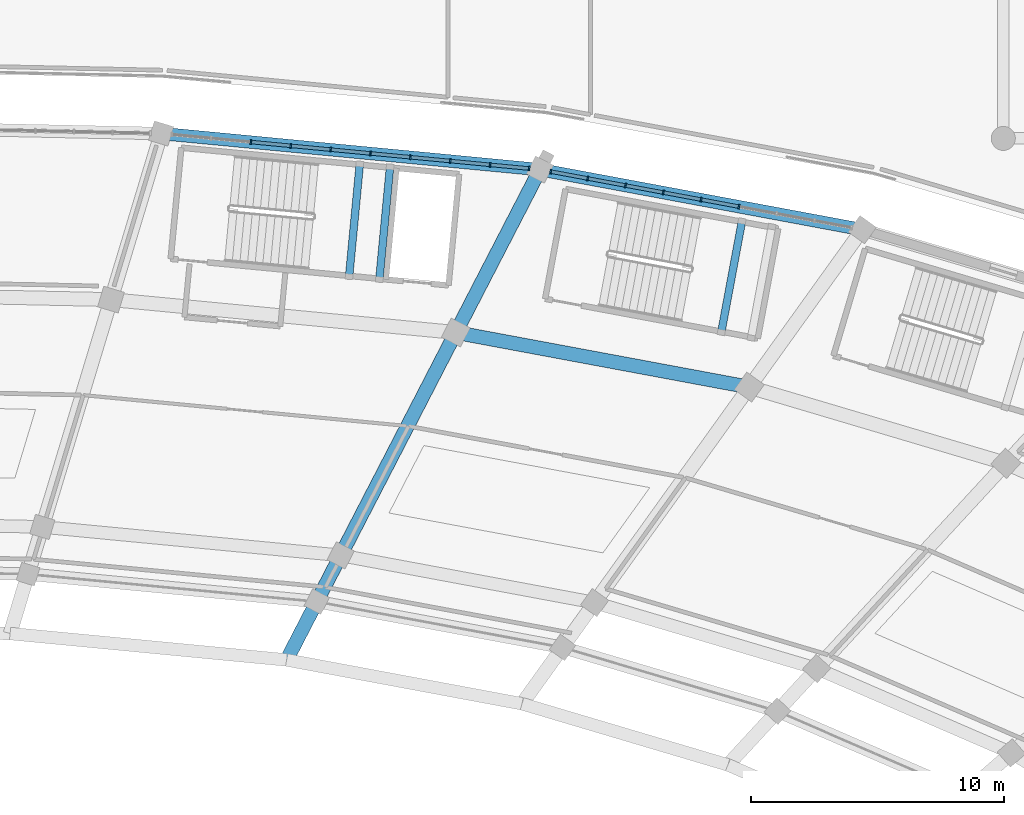
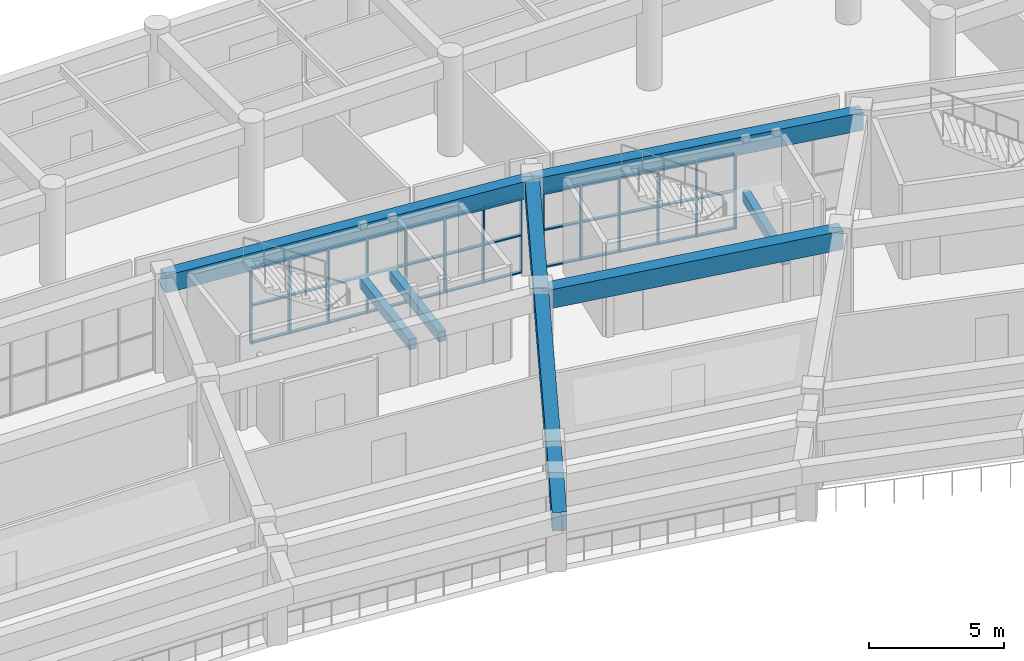
# One storey, part 70 of 145: 50 members, 8 beams, 2 elements without a shape of their own.
"""IFC4 building model written with IfcOpenShell, lengths in metres."""

from ifc_helpers import new_model, si_unit, direction, frame, origin, origin_2d, place, context, subcontext, project, spatial, rectangle, extrude, material, layer, layer_set, material_profile, profile_set, type_object, element, aggregate, save


model = new_model("IFC4")

# Units and contexts
model_context = context("Model", 3, precision=1e-05, world=origin(), true_north=direction((0.0, 1.0)))
body_context = subcontext(model_context, "Body", "Model", "MODEL_VIEW")
ifc_project = project(units=[si_unit("LENGTHUNIT", "METRE"), si_unit("AREAUNIT", "SQUARE_METRE"), si_unit("VOLUMEUNIT", "CUBIC_METRE"), si_unit("PLANEANGLEUNIT", "RADIAN"), si_unit("MASSUNIT", "GRAM", prefix="KILO")], contexts=[model_context])

# Site, building, storey
site_placement = place(None, origin())
site = spatial("IfcSite", under=ifc_project, at=site_placement, CompositionType="ELEMENT")
building_placement = place(site_placement, origin())
building = spatial("IfcBuilding", under=site, at=building_placement, Name="Mphavela Belvedere Stadium", CompositionType="ELEMENT")
storey_placement = place(building_placement, frame((0.0, 0.0, 10.199951171875)))
storey = spatial("IfcBuildingStorey", under=building, at=storey_placement, Name="L02", CompositionType="ELEMENT", Elevation=10.199951171875)

# Beams
ifc_material_1 = material(Name="Concrete C40/50", Category="concrete")
ifc_material_profile_1 = material_profile(ifc_material_1, rectangle(XDim=0.300048828125, YDim=0.449951171875, at=origin_2d()), Name="RC 300x450")
ifc_profile_set_1 = profile_set([ifc_material_profile_1], Name="Concrete C40/50")
beam_type_1 = type_object("IfcBeamType", Name="BM-RC300x450", PredefinedType="BEAM", material=ifc_profile_set_1)
beam_1_placement = place(storey_placement, frame((144.53515625, 154.541259765625, 1.824951171875), z_axis=(0.094981784239, 0.995479010659, 0.0), x_axis=(-0.995479010659, 0.094981784239, 0.0)))
element("IfcBeam", 1, at=beam_1_placement, inside=storey, type_object=beam_type_1, Name="Core C03 landing trimmer beam L02-1", PredefinedType="BEAM", context=body_context, shape_type="SweptSolid", body=[
    extrude(rectangle(XDim=0.300048828125, YDim=0.449951171875, at=origin_2d()), origin(), (0.0, 0.0, 1.0), 4.469970703125),
])
beam_2_placement = place(storey_placement, frame((145.729736328125, 154.42724609375, 1.824951171875), z_axis=(0.094976620198, 0.995479503363, 0.0), x_axis=(-0.995479503363, 0.094976620198, 0.0)))
element("IfcBeam", 2, at=beam_2_placement, inside=storey, type_object=beam_type_1, Name="Core C03 landing trimmer beam L02-2", PredefinedType="BEAM", context=body_context, shape_type="SweptSolid", body=[
    extrude(rectangle(XDim=0.300048828125, YDim=0.449951171875, at=origin_2d()), origin(), (0.0, 0.0, 1.0), 4.47021484375),
])
beam_3_placement = place(storey_placement, frame((159.233154296875, 152.34033203125, 1.824951171875), z_axis=(0.183137493709, 0.983087309652, 0.0), x_axis=(-0.983087309652, 0.183137493709, 0.0)))
element("IfcBeam", 3, at=beam_3_placement, inside=storey, type_object=beam_type_1, Name="Core P02 landing trimmer beam L02-1", PredefinedType="BEAM", context=body_context, shape_type="SweptSolid", body=[
    extrude(rectangle(XDim=0.300048828125, YDim=0.449951171875, at=origin_2d()), origin(), (0.0, 0.0, 1.0), 4.469970703125),
])
ifc_material_2 = material(Name="Concrete C40/50", Category="concrete")
ifc_material_profile_2 = material_profile(ifc_material_2, rectangle(XDim=0.550048828125, YDim=0.85009765625, at=origin_2d()), Name="RC 550x850")
ifc_profile_set_2 = profile_set([ifc_material_profile_2], Name="Concrete C40/50")
beam_type_2 = type_object("IfcBeamType", Name="BM-RC550x850", PredefinedType="BEAM", material=ifc_profile_set_2)
beam_4_placement = place(storey_placement, frame((160.337890625, 150.177490234375, 3.824951171875), z_axis=(-0.983097725009, 0.18308157494, 0.0), x_axis=(-0.18308157494, -0.983097725009, 0.0)))
element("IfcBeam", 4, at=beam_4_placement, inside=storey, type_object=beam_type_2, Name="Circumferential girder L02 R3-10", PredefinedType="BEAM", context=body_context, shape_type="SweptSolid", body=[
    extrude(rectangle(XDim=0.550048828125, YDim=0.85009765625, at=origin_2d()), origin(), (0.0, 0.0, 1.0), 11.786865234375),
])
beam_5_placement = place(storey_placement, frame((148.750244140625, 152.33544921875, 3.824951171875), z_axis=(0.458951286165, 0.888461432436, 0.0), x_axis=(-0.888461432436, 0.458951286165, 0.0)))
element("IfcBeam", 5, at=beam_5_placement, inside=storey, type_object=beam_type_2, Name="Radial concourse girder L02 R3R4-11", PredefinedType="BEAM", context=body_context, shape_type="SweptSolid", body=[
    extrude(rectangle(XDim=0.550048828125, YDim=0.85009765625, at=origin_2d()), origin(), (0.0, 0.0, 1.0), 7.2392578125),
])
beam_6_placement = place(storey_placement, frame((142.0703125, 139.40380859375, 3.824951171875), z_axis=(0.458943261437, 0.888465577713, 0.0), x_axis=(-0.888465577713, 0.458943261437, 0.0)))
element("IfcBeam", 6, at=beam_6_placement, inside=storey, type_object=beam_type_2, Name="Upper tier box-front outrigger girder 11", PredefinedType="BEAM", context=body_context, shape_type="SweptSolid", body=[
    extrude(rectangle(XDim=0.550048828125, YDim=0.85009765625, at=origin_2d()), origin(), (0.0, 0.0, 1.0), 14.554931640625),
])
ifc_material_3 = material(Name="Concrete C40/50", Category="concrete")
ifc_material_profile_3 = material_profile(ifc_material_3, rectangle(XDim=0.5, YDim=0.800048828125, at=origin_2d()), Name="RC 500x800")
ifc_profile_set_3 = profile_set([ifc_material_profile_3], Name="Concrete C40/50")
beam_type_3 = type_object("IfcBeamType", Name="BM-SPANDREL-800", PredefinedType="SPANDREL", material=ifc_profile_set_3)
beam_7_placement = place(storey_placement, frame((164.80126953125, 156.39697265625, 3.85009765625), z_axis=(-0.983098571421, 0.183077029882, 0.0), x_axis=(-0.183077029882, -0.983098571421, 0.0)))
element("IfcBeam", 7, at=beam_7_placement, inside=storey, type_object=beam_type_3, Name="Circumferential girder L02 R4-10", PredefinedType="SPANDREL", context=body_context, shape_type="SweptSolid", body=[
    extrude(rectangle(XDim=0.5, YDim=0.800048828125, at=origin_2d()), origin(), (0.0, 0.0, 1.0), 12.947265625),
])
beam_8_placement = place(storey_placement, frame((152.07275390625, 158.767333984375, 3.85009765625), z_axis=(-0.995483415661, 0.094935605244, 0.0), x_axis=(-0.094935605244, -0.995483415661, 0.0)))
element("IfcBeam", 8, at=beam_8_placement, inside=storey, type_object=beam_type_3, Name="Circumferential girder L02 R4-11", PredefinedType="SPANDREL", context=body_context, shape_type="SweptSolid", body=[
    extrude(rectangle(XDim=0.5, YDim=0.800048828125, at=origin_2d()), origin(), (0.0, 0.0, 1.0), 15.026123046875),
])

# Curtain wall, members
ifc_material_4 = material(Name="Anodised bronze unitised curtain wall framing")
ifc_layer_1 = layer(ifc_material_4, 0.199951171875)
ifc_layer_set_1 = layer_set([ifc_layer_1], Name="Anodised bronze unitised curtain wall framing")
curtain_wall_type_1 = type_object("IfcCurtainWallType", Name="CW-UNIT-05", PredefinedType="USERDEFINED", material=ifc_layer_set_1)
curtain_wall_1_placement = place(storey_placement, origin())
curtain_wall_1 = element("IfcCurtainWall", 9, at=curtain_wall_1_placement, inside=storey, type_object=curtain_wall_type_1, Name="Belvedere colonnade curtain wall L02-10", ObjectType="UNITISED CURTAIN WALL", PredefinedType="USERDEFINED")
ifc_material_5 = material(Name="Anodised bronze extruded aluminium", Category="aluminium")
ifc_material_profile_4 = material_profile(ifc_material_5, rectangle(XDim=0.179931640625, YDim=0.06494140625, at=origin_2d()), Name="CW-MUL 180x65")
ifc_profile_set_4 = profile_set([ifc_material_profile_4], Name="Anodised bronze extruded aluminium")
member_type_1 = type_object("IfcMemberType", Name="CWM-180x65", PredefinedType="MULLION", material=ifc_profile_set_4)
member_1_placement = place(storey_placement, frame((159.93017578125, 157.303955078125, 0.0), z_axis=(0.0, 0.0, 1.0), x_axis=(-0.1830849431, -0.983097097753, 0.0)))
member_1 = element("IfcMember", 10, at=member_1_placement, type_object=member_type_1, Name="CW-05 mullion 4", PredefinedType="MULLION", context=body_context, shape_type="SweptSolid", body=[
    extrude(rectangle(XDim=0.179931640625, YDim=0.06494140625, at=origin_2d()), origin(), (0.0, 0.0, 1.0), 3.420166015625),
])
member_2_placement = place(storey_placement, frame((158.43701171875, 157.58203125, 0.0), z_axis=(0.0, 0.0, 1.0), x_axis=(-0.1830849431, -0.983097097753, 0.0)))
member_2 = element("IfcMember", 11, at=member_2_placement, type_object=member_type_1, Name="CW-05 mullion 5", PredefinedType="MULLION", context=body_context, shape_type="SweptSolid", body=[
    extrude(rectangle(XDim=0.179931640625, YDim=0.06494140625, at=origin_2d()), origin(), (0.0, 0.0, 1.0), 3.420166015625),
])
member_3_placement = place(storey_placement, frame((156.94384765625, 157.8603515625, 0.0), z_axis=(0.0, 0.0, 1.0), x_axis=(-0.1830849431, -0.983097097753, 0.0)))
member_3 = element("IfcMember", 12, at=member_3_placement, type_object=member_type_1, Name="CW-05 mullion 6", PredefinedType="MULLION", context=body_context, shape_type="SweptSolid", body=[
    extrude(rectangle(XDim=0.179931640625, YDim=0.06494140625, at=origin_2d()), origin(), (0.0, 0.0, 1.0), 3.420166015625),
])
member_4_placement = place(storey_placement, frame((155.450439453125, 158.138427734375, 0.0), z_axis=(0.0, 0.0, 1.0), x_axis=(-0.1830849431, -0.983097097753, 0.0)))
member_4 = element("IfcMember", 13, at=member_4_placement, type_object=member_type_1, Name="CW-05 mullion 7", PredefinedType="MULLION", context=body_context, shape_type="SweptSolid", body=[
    extrude(rectangle(XDim=0.179931640625, YDim=0.06494140625, at=origin_2d()), origin(), (0.0, 0.0, 1.0), 3.420166015625),
])
member_5_placement = place(storey_placement, frame((153.957275390625, 158.41650390625, 0.0), z_axis=(0.0, 0.0, 1.0), x_axis=(-0.1830849431, -0.983097097753, 0.0)))
member_5 = element("IfcMember", 14, at=member_5_placement, type_object=member_type_1, Name="CW-05 mullion 8", PredefinedType="MULLION", context=body_context, shape_type="SweptSolid", body=[
    extrude(rectangle(XDim=0.179931640625, YDim=0.06494140625, at=origin_2d()), origin(), (0.0, 0.0, 1.0), 3.420166015625),
])
member_6_placement = place(storey_placement, frame((152.49609375, 158.6884765625, 0.0), z_axis=(0.0, 0.0, 1.0), x_axis=(-0.1830849431, -0.983097097753, 0.0)))
member_6 = element("IfcMember", 15, at=member_6_placement, type_object=member_type_1, Name="CW-05 mullion 9", PredefinedType="MULLION", context=body_context, shape_type="SweptSolid", body=[
    extrude(rectangle(XDim=0.179931640625, YDim=0.06494140625, at=origin_2d()), origin(), (0.0, 0.0, 1.0), 3.420166015625),
])

ifc_material_6 = material(Name="Anodised bronze unitised curtain wall framing")
ifc_layer_2 = layer(ifc_material_6, 0.205078125)
ifc_layer_set_2 = layer_set([ifc_layer_2], Name="Anodised bronze unitised curtain wall framing")
curtain_wall_type_2 = type_object("IfcCurtainWallType", Name="CW-UNIT-06", PredefinedType="USERDEFINED", material=ifc_layer_set_2)
curtain_wall_2_placement = place(storey_placement, origin())
curtain_wall_2 = element("IfcCurtainWall", 16, at=curtain_wall_2_placement, inside=storey, type_object=curtain_wall_type_2, Name="Belvedere colonnade curtain wall L02-11", ObjectType="UNITISED CURTAIN WALL", PredefinedType="USERDEFINED")
member_7_placement = place(storey_placement, frame((151.644287109375, 158.808349609375, 0.0), z_axis=(0.0, 0.0, 1.0), x_axis=(-0.094925825406, -0.99548434828, 0.0)))
member_7 = element("IfcMember", 17, at=member_7_placement, type_object=member_type_1, Name="CW-06 mullion 1", PredefinedType="MULLION", context=body_context, shape_type="SweptSolid", body=[
    extrude(rectangle(XDim=0.179931640625, YDim=0.06494140625, at=origin_2d()), origin(), (0.0, 0.0, 1.0), 3.420166015625),
])
member_8_placement = place(storey_placement, frame((150.1025390625, 158.955322265625, 0.0), z_axis=(0.0, 0.0, 1.0), x_axis=(-0.094925825406, -0.99548434828, 0.0)))
member_8 = element("IfcMember", 18, at=member_8_placement, type_object=member_type_1, Name="CW-06 mullion 2", PredefinedType="MULLION", context=body_context, shape_type="SweptSolid", body=[
    extrude(rectangle(XDim=0.179931640625, YDim=0.06494140625, at=origin_2d()), origin(), (0.0, 0.0, 1.0), 3.420166015625),
])
member_9_placement = place(storey_placement, frame((148.528564453125, 159.10546875, 0.0), z_axis=(0.0, 0.0, 1.0), x_axis=(-0.094925825406, -0.99548434828, 0.0)))
member_9 = element("IfcMember", 19, at=member_9_placement, type_object=member_type_1, Name="CW-06 mullion 3", PredefinedType="MULLION", context=body_context, shape_type="SweptSolid", body=[
    extrude(rectangle(XDim=0.179931640625, YDim=0.06494140625, at=origin_2d()), origin(), (0.0, 0.0, 1.0), 3.420166015625),
])
member_10_placement = place(storey_placement, frame((146.95458984375, 159.25537109375, 0.0), z_axis=(0.0, 0.0, 1.0), x_axis=(-0.094925825406, -0.99548434828, 0.0)))
member_10 = element("IfcMember", 20, at=member_10_placement, type_object=member_type_1, Name="CW-06 mullion 4", PredefinedType="MULLION", context=body_context, shape_type="SweptSolid", body=[
    extrude(rectangle(XDim=0.179931640625, YDim=0.06494140625, at=origin_2d()), origin(), (0.0, 0.0, 1.0), 3.420166015625),
])
member_11_placement = place(storey_placement, frame((145.380615234375, 159.405517578125, 0.0), z_axis=(0.0, 0.0, 1.0), x_axis=(-0.094925825406, -0.99548434828, 0.0)))
member_11 = element("IfcMember", 21, at=member_11_placement, type_object=member_type_1, Name="CW-06 mullion 5", PredefinedType="MULLION", context=body_context, shape_type="SweptSolid", body=[
    extrude(rectangle(XDim=0.179931640625, YDim=0.06494140625, at=origin_2d()), origin(), (0.0, 0.0, 1.0), 3.420166015625),
])
member_12_placement = place(storey_placement, frame((143.806640625, 159.5556640625, 0.0), z_axis=(0.0, 0.0, 1.0), x_axis=(-0.094925825406, -0.99548434828, 0.0)))
member_12 = element("IfcMember", 22, at=member_12_placement, type_object=member_type_1, Name="CW-06 mullion 6", PredefinedType="MULLION", context=body_context, shape_type="SweptSolid", body=[
    extrude(rectangle(XDim=0.179931640625, YDim=0.06494140625, at=origin_2d()), origin(), (0.0, 0.0, 1.0), 3.420166015625),
])
member_13_placement = place(storey_placement, frame((142.232666015625, 159.705810546875, 0.0), z_axis=(0.0, 0.0, 1.0), x_axis=(-0.094925825406, -0.99548434828, 0.0)))
member_13 = element("IfcMember", 23, at=member_13_placement, type_object=member_type_1, Name="CW-06 mullion 7", PredefinedType="MULLION", context=body_context, shape_type="SweptSolid", body=[
    extrude(rectangle(XDim=0.179931640625, YDim=0.06494140625, at=origin_2d()), origin(), (0.0, 0.0, 1.0), 3.420166015625),
])
member_14_placement = place(storey_placement, frame((140.65869140625, 159.855712890625, 0.0), z_axis=(0.0, 0.0, 1.0), x_axis=(-0.094925825406, -0.99548434828, 0.0)))
member_14 = element("IfcMember", 24, at=member_14_placement, type_object=member_type_1, Name="CW-06 mullion 8", PredefinedType="MULLION", context=body_context, shape_type="SweptSolid", body=[
    extrude(rectangle(XDim=0.179931640625, YDim=0.06494140625, at=origin_2d()), origin(), (0.0, 0.0, 1.0), 3.420166015625),
])

# Member
ifc_material_7 = material(Name="Anodised bronze extruded aluminium", Category="aluminium")
ifc_material_profile_5 = material_profile(ifc_material_7, rectangle(XDim=0.139892578125, YDim=0.06005859375, at=origin_2d()), Name="CW-TRN 140x60")
ifc_profile_set_5 = profile_set([ifc_material_profile_5], Name="Anodised bronze extruded aluminium")
member_type_2 = type_object("IfcMemberType", Name="CWT-140x60", PredefinedType="USERDEFINED", material=ifc_profile_set_5)
member_15_placement = place(storey_placement, frame((159.898193359375, 157.31005859375, 0.030029296875), z_axis=(-0.983103351692, 0.183051358617, 0.0), x_axis=(-0.183051358617, -0.983103351692, 0.0)))
member_15 = element("IfcMember", 25, at=member_15_placement, type_object=member_type_2, Name="CW-05 transom 4.1", ObjectType="TRANSOM", PredefinedType="USERDEFINED", context=body_context, shape_type="SweptSolid", body=[
    extrude(rectangle(XDim=0.139892578125, YDim=0.06005859375, at=origin_2d()), origin(), (0.0, 0.0, 1.0), 1.453857421875),
])

member_16_placement = place(storey_placement, frame((159.898193359375, 157.31005859375, 1.7099609375), z_axis=(-0.983103351692, 0.183051358617, 0.0), x_axis=(-0.183051358617, -0.983103351692, 0.0)))
member_16 = element("IfcMember", 26, at=member_16_placement, type_object=member_type_2, Name="CW-05 transom 4.2", ObjectType="TRANSOM", PredefinedType="USERDEFINED", context=body_context, shape_type="SweptSolid", body=[
    extrude(rectangle(XDim=0.139892578125, YDim=0.06005859375, at=origin_2d()), origin(), (0.0, 0.0, 1.0), 1.453857421875),
])

member_17_placement = place(storey_placement, frame((159.898193359375, 157.31005859375, 3.39013671875), z_axis=(-0.983103351692, 0.183051358617, 0.0), x_axis=(-0.183051358617, -0.983103351692, 0.0)))
member_17 = element("IfcMember", 27, at=member_17_placement, type_object=member_type_2, Name="CW-05 transom 4.3", ObjectType="TRANSOM", PredefinedType="USERDEFINED", context=body_context, shape_type="SweptSolid", body=[
    extrude(rectangle(XDim=0.139892578125, YDim=0.06005859375, at=origin_2d()), origin(), (0.0, 0.0, 1.0), 1.453857421875),
])

member_18_placement = place(storey_placement, frame((158.405029296875, 157.588134765625, 0.030029296875), z_axis=(-0.983103351692, 0.183051358617, 0.0), x_axis=(-0.183051358617, -0.983103351692, 0.0)))
member_18 = element("IfcMember", 28, at=member_18_placement, type_object=member_type_2, Name="CW-05 transom 5.1", ObjectType="TRANSOM", PredefinedType="USERDEFINED", context=body_context, shape_type="SweptSolid", body=[
    extrude(rectangle(XDim=0.139892578125, YDim=0.06005859375, at=origin_2d()), origin(), (0.0, 0.0, 1.0), 1.453857421875),
])

member_19_placement = place(storey_placement, frame((158.405029296875, 157.588134765625, 1.7099609375), z_axis=(-0.983103351692, 0.183051358617, 0.0), x_axis=(-0.183051358617, -0.983103351692, 0.0)))
member_19 = element("IfcMember", 29, at=member_19_placement, type_object=member_type_2, Name="CW-05 transom 5.2", ObjectType="TRANSOM", PredefinedType="USERDEFINED", context=body_context, shape_type="SweptSolid", body=[
    extrude(rectangle(XDim=0.139892578125, YDim=0.06005859375, at=origin_2d()), origin(), (0.0, 0.0, 1.0), 1.453857421875),
])

member_20_placement = place(storey_placement, frame((158.405029296875, 157.588134765625, 3.39013671875), z_axis=(-0.983103351692, 0.183051358617, 0.0), x_axis=(-0.183051358617, -0.983103351692, 0.0)))
member_20 = element("IfcMember", 30, at=member_20_placement, type_object=member_type_2, Name="CW-05 transom 5.3", ObjectType="TRANSOM", PredefinedType="USERDEFINED", context=body_context, shape_type="SweptSolid", body=[
    extrude(rectangle(XDim=0.139892578125, YDim=0.06005859375, at=origin_2d()), origin(), (0.0, 0.0, 1.0), 1.453857421875),
])

member_21_placement = place(storey_placement, frame((156.911865234375, 157.8662109375, 0.030029296875), z_axis=(-0.983108977499, 0.18302114184, 0.0), x_axis=(-0.18302114184, -0.983108977499, 0.0)))
member_21 = element("IfcMember", 31, at=member_21_placement, type_object=member_type_2, Name="CW-05 transom 6.1", ObjectType="TRANSOM", PredefinedType="USERDEFINED", context=body_context, shape_type="SweptSolid", body=[
    extrude(rectangle(XDim=0.139892578125, YDim=0.06005859375, at=origin_2d()), origin(), (0.0, 0.0, 1.0), 1.4541015625),
])

member_22_placement = place(storey_placement, frame((156.911865234375, 157.8662109375, 1.7099609375), z_axis=(-0.983108977499, 0.18302114184, 0.0), x_axis=(-0.18302114184, -0.983108977499, 0.0)))
member_22 = element("IfcMember", 32, at=member_22_placement, type_object=member_type_2, Name="CW-05 transom 6.2", ObjectType="TRANSOM", PredefinedType="USERDEFINED", context=body_context, shape_type="SweptSolid", body=[
    extrude(rectangle(XDim=0.139892578125, YDim=0.06005859375, at=origin_2d()), origin(), (0.0, 0.0, 1.0), 1.4541015625),
])

member_23_placement = place(storey_placement, frame((156.911865234375, 157.8662109375, 3.39013671875), z_axis=(-0.983108977499, 0.18302114184, 0.0), x_axis=(-0.18302114184, -0.983108977499, 0.0)))
member_23 = element("IfcMember", 33, at=member_23_placement, type_object=member_type_2, Name="CW-05 transom 6.3", ObjectType="TRANSOM", PredefinedType="USERDEFINED", context=body_context, shape_type="SweptSolid", body=[
    extrude(rectangle(XDim=0.139892578125, YDim=0.06005859375, at=origin_2d()), origin(), (0.0, 0.0, 1.0), 1.4541015625),
])

member_24_placement = place(storey_placement, frame((155.418701171875, 158.144287109375, 0.030029296875), z_axis=(-0.983108977499, 0.18302114184, 0.0), x_axis=(-0.18302114184, -0.983108977499, 0.0)))
member_24 = element("IfcMember", 34, at=member_24_placement, type_object=member_type_2, Name="CW-05 transom 7.1", ObjectType="TRANSOM", PredefinedType="USERDEFINED", context=body_context, shape_type="SweptSolid", body=[
    extrude(rectangle(XDim=0.139892578125, YDim=0.06005859375, at=origin_2d()), origin(), (0.0, 0.0, 1.0), 1.4541015625),
])

member_25_placement = place(storey_placement, frame((155.418701171875, 158.144287109375, 1.7099609375), z_axis=(-0.983108977499, 0.18302114184, 0.0), x_axis=(-0.18302114184, -0.983108977499, 0.0)))
member_25 = element("IfcMember", 35, at=member_25_placement, type_object=member_type_2, Name="CW-05 transom 7.2", ObjectType="TRANSOM", PredefinedType="USERDEFINED", context=body_context, shape_type="SweptSolid", body=[
    extrude(rectangle(XDim=0.139892578125, YDim=0.06005859375, at=origin_2d()), origin(), (0.0, 0.0, 1.0), 1.4541015625),
])

member_26_placement = place(storey_placement, frame((155.418701171875, 158.144287109375, 3.39013671875), z_axis=(-0.983108977499, 0.18302114184, 0.0), x_axis=(-0.18302114184, -0.983108977499, 0.0)))
member_26 = element("IfcMember", 36, at=member_26_placement, type_object=member_type_2, Name="CW-05 transom 7.3", ObjectType="TRANSOM", PredefinedType="USERDEFINED", context=body_context, shape_type="SweptSolid", body=[
    extrude(rectangle(XDim=0.139892578125, YDim=0.06005859375, at=origin_2d()), origin(), (0.0, 0.0, 1.0), 1.4541015625),
])

member_27_placement = place(storey_placement, frame((153.92529296875, 158.42236328125, 0.030029296875), z_axis=(-0.98309123567, 0.183116417477, 0.0), x_axis=(-0.183116417477, -0.98309123567, 0.0)))
member_27 = element("IfcMember", 37, at=member_27_placement, type_object=member_type_2, Name="CW-05 transom 8.1", ObjectType="TRANSOM", PredefinedType="USERDEFINED", context=body_context, shape_type="SweptSolid", body=[
    extrude(rectangle(XDim=0.139892578125, YDim=0.06005859375, at=origin_2d()), origin(), (0.0, 0.0, 1.0), 1.421142578125),
])

member_28_placement = place(storey_placement, frame((153.92529296875, 158.42236328125, 1.7099609375), z_axis=(-0.98309123567, 0.183116417477, 0.0), x_axis=(-0.183116417477, -0.98309123567, 0.0)))
member_28 = element("IfcMember", 38, at=member_28_placement, type_object=member_type_2, Name="CW-05 transom 8.2", ObjectType="TRANSOM", PredefinedType="USERDEFINED", context=body_context, shape_type="SweptSolid", body=[
    extrude(rectangle(XDim=0.139892578125, YDim=0.06005859375, at=origin_2d()), origin(), (0.0, 0.0, 1.0), 1.421142578125),
])

member_29_placement = place(storey_placement, frame((153.92529296875, 158.42236328125, 3.39013671875), z_axis=(-0.98309123567, 0.183116417477, 0.0), x_axis=(-0.183116417477, -0.98309123567, 0.0)))
member_29 = element("IfcMember", 39, at=member_29_placement, type_object=member_type_2, Name="CW-05 transom 8.3", ObjectType="TRANSOM", PredefinedType="USERDEFINED", context=body_context, shape_type="SweptSolid", body=[
    extrude(rectangle(XDim=0.139892578125, YDim=0.06005859375, at=origin_2d()), origin(), (0.0, 0.0, 1.0), 1.421142578125),
])

aggregate(curtain_wall_1, [member_1, member_2, member_3, member_4, member_5, member_6, member_15, member_16, member_17, member_18, member_19, member_20, member_21, member_22, member_23, member_24, member_25, member_26, member_27, member_28, member_29])

member_30_placement = place(storey_placement, frame((151.61181640625, 158.811279296875, 0.030029296875), z_axis=(-0.995481408525, 0.094956649482, 0.0), x_axis=(-0.094956649482, -0.995481408525, 0.0)))
member_30 = element("IfcMember", 40, at=member_30_placement, type_object=member_type_2, Name="CW-06 transom 1.1", ObjectType="TRANSOM", PredefinedType="USERDEFINED", context=body_context, shape_type="SweptSolid", body=[
    extrude(rectangle(XDim=0.139892578125, YDim=0.06005859375, at=origin_2d()), origin(), (0.0, 0.0, 1.0), 1.4833984375),
])

member_31_placement = place(storey_placement, frame((151.61181640625, 158.811279296875, 1.7099609375), z_axis=(-0.995481408525, 0.094956649482, 0.0), x_axis=(-0.094956649482, -0.995481408525, 0.0)))
member_31 = element("IfcMember", 41, at=member_31_placement, type_object=member_type_2, Name="CW-06 transom 1.2", ObjectType="TRANSOM", PredefinedType="USERDEFINED", context=body_context, shape_type="SweptSolid", body=[
    extrude(rectangle(XDim=0.139892578125, YDim=0.06005859375, at=origin_2d()), origin(), (0.0, 0.0, 1.0), 1.4833984375),
])

member_32_placement = place(storey_placement, frame((151.61181640625, 158.811279296875, 3.39013671875), z_axis=(-0.995481408525, 0.094956649482, 0.0), x_axis=(-0.094956649482, -0.995481408525, 0.0)))
member_32 = element("IfcMember", 42, at=member_32_placement, type_object=member_type_2, Name="CW-06 transom 1.3", ObjectType="TRANSOM", PredefinedType="USERDEFINED", context=body_context, shape_type="SweptSolid", body=[
    extrude(rectangle(XDim=0.139892578125, YDim=0.06005859375, at=origin_2d()), origin(), (0.0, 0.0, 1.0), 1.4833984375),
])

member_33_placement = place(storey_placement, frame((150.0703125, 158.958251953125, 0.030029296875), z_axis=(-0.995476636203, 0.095006666994, 0.0), x_axis=(-0.095006666994, -0.995476636203, 0.0)))
member_33 = element("IfcMember", 43, at=member_33_placement, type_object=member_type_2, Name="CW-06 transom 2.1", ObjectType="TRANSOM", PredefinedType="USERDEFINED", context=body_context, shape_type="SweptSolid", body=[
    extrude(rectangle(XDim=0.139892578125, YDim=0.06005859375, at=origin_2d()), origin(), (0.0, 0.0, 1.0), 1.51611328125),
])

member_34_placement = place(storey_placement, frame((150.0703125, 158.958251953125, 1.7099609375), z_axis=(-0.995476636203, 0.095006666994, 0.0), x_axis=(-0.095006666994, -0.995476636203, 0.0)))
member_34 = element("IfcMember", 44, at=member_34_placement, type_object=member_type_2, Name="CW-06 transom 2.2", ObjectType="TRANSOM", PredefinedType="USERDEFINED", context=body_context, shape_type="SweptSolid", body=[
    extrude(rectangle(XDim=0.139892578125, YDim=0.06005859375, at=origin_2d()), origin(), (0.0, 0.0, 1.0), 1.51611328125),
])

member_35_placement = place(storey_placement, frame((150.0703125, 158.958251953125, 3.39013671875), z_axis=(-0.995476636203, 0.095006666994, 0.0), x_axis=(-0.095006666994, -0.995476636203, 0.0)))
member_35 = element("IfcMember", 45, at=member_35_placement, type_object=member_type_2, Name="CW-06 transom 2.3", ObjectType="TRANSOM", PredefinedType="USERDEFINED", context=body_context, shape_type="SweptSolid", body=[
    extrude(rectangle(XDim=0.139892578125, YDim=0.06005859375, at=origin_2d()), origin(), (0.0, 0.0, 1.0), 1.51611328125),
])

member_36_placement = place(storey_placement, frame((148.496337890625, 159.1083984375, 0.030029296875), z_axis=(-0.995476636203, 0.095006666994, 0.0), x_axis=(-0.095006666994, -0.995476636203, 0.0)))
member_36 = element("IfcMember", 46, at=member_36_placement, type_object=member_type_2, Name="CW-06 transom 3.1", ObjectType="TRANSOM", PredefinedType="USERDEFINED", context=body_context, shape_type="SweptSolid", body=[
    extrude(rectangle(XDim=0.139892578125, YDim=0.06005859375, at=origin_2d()), origin(), (0.0, 0.0, 1.0), 1.51611328125),
])

member_37_placement = place(storey_placement, frame((148.496337890625, 159.1083984375, 1.7099609375), z_axis=(-0.995476636203, 0.095006666994, 0.0), x_axis=(-0.095006666994, -0.995476636203, 0.0)))
member_37 = element("IfcMember", 47, at=member_37_placement, type_object=member_type_2, Name="CW-06 transom 3.2", ObjectType="TRANSOM", PredefinedType="USERDEFINED", context=body_context, shape_type="SweptSolid", body=[
    extrude(rectangle(XDim=0.139892578125, YDim=0.06005859375, at=origin_2d()), origin(), (0.0, 0.0, 1.0), 1.51611328125),
])

member_38_placement = place(storey_placement, frame((148.496337890625, 159.1083984375, 3.39013671875), z_axis=(-0.995476636203, 0.095006666994, 0.0), x_axis=(-0.095006666994, -0.995476636203, 0.0)))
member_38 = element("IfcMember", 48, at=member_38_placement, type_object=member_type_2, Name="CW-06 transom 3.3", ObjectType="TRANSOM", PredefinedType="USERDEFINED", context=body_context, shape_type="SweptSolid", body=[
    extrude(rectangle(XDim=0.139892578125, YDim=0.06005859375, at=origin_2d()), origin(), (0.0, 0.0, 1.0), 1.51611328125),
])

member_39_placement = place(storey_placement, frame((146.92236328125, 159.258544921875, 0.030029296875), z_axis=(-0.995476636203, 0.095006666994, 0.0), x_axis=(-0.095006666994, -0.995476636203, 0.0)))
member_39 = element("IfcMember", 49, at=member_39_placement, type_object=member_type_2, Name="CW-06 transom 4.1", ObjectType="TRANSOM", PredefinedType="USERDEFINED", context=body_context, shape_type="SweptSolid", body=[
    extrude(rectangle(XDim=0.139892578125, YDim=0.06005859375, at=origin_2d()), origin(), (0.0, 0.0, 1.0), 1.51611328125),
])

member_40_placement = place(storey_placement, frame((146.92236328125, 159.258544921875, 1.7099609375), z_axis=(-0.995476636203, 0.095006666994, 0.0), x_axis=(-0.095006666994, -0.995476636203, 0.0)))
member_40 = element("IfcMember", 50, at=member_40_placement, type_object=member_type_2, Name="CW-06 transom 4.2", ObjectType="TRANSOM", PredefinedType="USERDEFINED", context=body_context, shape_type="SweptSolid", body=[
    extrude(rectangle(XDim=0.139892578125, YDim=0.06005859375, at=origin_2d()), origin(), (0.0, 0.0, 1.0), 1.51611328125),
])

member_41_placement = place(storey_placement, frame((146.92236328125, 159.258544921875, 3.39013671875), z_axis=(-0.995476636203, 0.095006666994, 0.0), x_axis=(-0.095006666994, -0.995476636203, 0.0)))
member_41 = element("IfcMember", 51, at=member_41_placement, type_object=member_type_2, Name="CW-06 transom 4.3", ObjectType="TRANSOM", PredefinedType="USERDEFINED", context=body_context, shape_type="SweptSolid", body=[
    extrude(rectangle(XDim=0.139892578125, YDim=0.06005859375, at=origin_2d()), origin(), (0.0, 0.0, 1.0), 1.51611328125),
])

member_42_placement = place(storey_placement, frame((145.348388671875, 159.40869140625, 0.030029296875), z_axis=(-0.995491853201, 0.094847088569, 0.0), x_axis=(-0.094847088569, -0.995491853201, 0.0)))
member_42 = element("IfcMember", 52, at=member_42_placement, type_object=member_type_2, Name="CW-06 transom 5.1", ObjectType="TRANSOM", PredefinedType="USERDEFINED", context=body_context, shape_type="SweptSolid", body=[
    extrude(rectangle(XDim=0.139892578125, YDim=0.06005859375, at=origin_2d()), origin(), (0.0, 0.0, 1.0), 1.51611328125),
])

member_43_placement = place(storey_placement, frame((145.348388671875, 159.40869140625, 1.7099609375), z_axis=(-0.995491853201, 0.094847088569, 0.0), x_axis=(-0.094847088569, -0.995491853201, 0.0)))
member_43 = element("IfcMember", 53, at=member_43_placement, type_object=member_type_2, Name="CW-06 transom 5.2", ObjectType="TRANSOM", PredefinedType="USERDEFINED", context=body_context, shape_type="SweptSolid", body=[
    extrude(rectangle(XDim=0.139892578125, YDim=0.06005859375, at=origin_2d()), origin(), (0.0, 0.0, 1.0), 1.51611328125),
])

member_44_placement = place(storey_placement, frame((145.348388671875, 159.40869140625, 3.39013671875), z_axis=(-0.995491853201, 0.094847088569, 0.0), x_axis=(-0.094847088569, -0.995491853201, 0.0)))
member_44 = element("IfcMember", 54, at=member_44_placement, type_object=member_type_2, Name="CW-06 transom 5.3", ObjectType="TRANSOM", PredefinedType="USERDEFINED", context=body_context, shape_type="SweptSolid", body=[
    extrude(rectangle(XDim=0.139892578125, YDim=0.06005859375, at=origin_2d()), origin(), (0.0, 0.0, 1.0), 1.51611328125),
])

member_45_placement = place(storey_placement, frame((143.7744140625, 159.558837890625, 0.030029296875), z_axis=(-0.995491853201, 0.094847088569, 0.0), x_axis=(-0.094847088569, -0.995491853201, 0.0)))
member_45 = element("IfcMember", 55, at=member_45_placement, type_object=member_type_2, Name="CW-06 transom 6.1", ObjectType="TRANSOM", PredefinedType="USERDEFINED", context=body_context, shape_type="SweptSolid", body=[
    extrude(rectangle(XDim=0.139892578125, YDim=0.06005859375, at=origin_2d()), origin(), (0.0, 0.0, 1.0), 1.51611328125),
])

member_46_placement = place(storey_placement, frame((143.7744140625, 159.558837890625, 1.7099609375), z_axis=(-0.995491853201, 0.094847088569, 0.0), x_axis=(-0.094847088569, -0.995491853201, 0.0)))
member_46 = element("IfcMember", 56, at=member_46_placement, type_object=member_type_2, Name="CW-06 transom 6.2", ObjectType="TRANSOM", PredefinedType="USERDEFINED", context=body_context, shape_type="SweptSolid", body=[
    extrude(rectangle(XDim=0.139892578125, YDim=0.06005859375, at=origin_2d()), origin(), (0.0, 0.0, 1.0), 1.51611328125),
])

member_47_placement = place(storey_placement, frame((143.7744140625, 159.558837890625, 3.39013671875), z_axis=(-0.995491853201, 0.094847088569, 0.0), x_axis=(-0.094847088569, -0.995491853201, 0.0)))
member_47 = element("IfcMember", 57, at=member_47_placement, type_object=member_type_2, Name="CW-06 transom 6.3", ObjectType="TRANSOM", PredefinedType="USERDEFINED", context=body_context, shape_type="SweptSolid", body=[
    extrude(rectangle(XDim=0.139892578125, YDim=0.06005859375, at=origin_2d()), origin(), (0.0, 0.0, 1.0), 1.51611328125),
])

member_48_placement = place(storey_placement, frame((142.200439453125, 159.708740234375, 0.030029296875), z_axis=(-0.995476636203, 0.095006666994, 0.0), x_axis=(-0.095006666994, -0.995476636203, 0.0)))
member_48 = element("IfcMember", 58, at=member_48_placement, type_object=member_type_2, Name="CW-06 transom 7.1", ObjectType="TRANSOM", PredefinedType="USERDEFINED", context=body_context, shape_type="SweptSolid", body=[
    extrude(rectangle(XDim=0.139892578125, YDim=0.06005859375, at=origin_2d()), origin(), (0.0, 0.0, 1.0), 1.51611328125),
])

member_49_placement = place(storey_placement, frame((142.200439453125, 159.708740234375, 1.7099609375), z_axis=(-0.995476636203, 0.095006666994, 0.0), x_axis=(-0.095006666994, -0.995476636203, 0.0)))
member_49 = element("IfcMember", 59, at=member_49_placement, type_object=member_type_2, Name="CW-06 transom 7.2", ObjectType="TRANSOM", PredefinedType="USERDEFINED", context=body_context, shape_type="SweptSolid", body=[
    extrude(rectangle(XDim=0.139892578125, YDim=0.06005859375, at=origin_2d()), origin(), (0.0, 0.0, 1.0), 1.51611328125),
])

member_50_placement = place(storey_placement, frame((142.200439453125, 159.708740234375, 3.39013671875), z_axis=(-0.995476636203, 0.095006666994, 0.0), x_axis=(-0.095006666994, -0.995476636203, 0.0)))
member_50 = element("IfcMember", 60, at=member_50_placement, type_object=member_type_2, Name="CW-06 transom 7.3", ObjectType="TRANSOM", PredefinedType="USERDEFINED", context=body_context, shape_type="SweptSolid", body=[
    extrude(rectangle(XDim=0.139892578125, YDim=0.06005859375, at=origin_2d()), origin(), (0.0, 0.0, 1.0), 1.51611328125),
])

aggregate(curtain_wall_2, [member_7, member_8, member_9, member_10, member_11, member_12, member_13, member_14, member_30, member_31, member_32, member_33, member_34, member_35, member_36, member_37, member_38, member_39, member_40, member_41, member_42, member_43, member_44, member_45, member_46, member_47, member_48, member_49, member_50])

save(model, "model.ifc")
